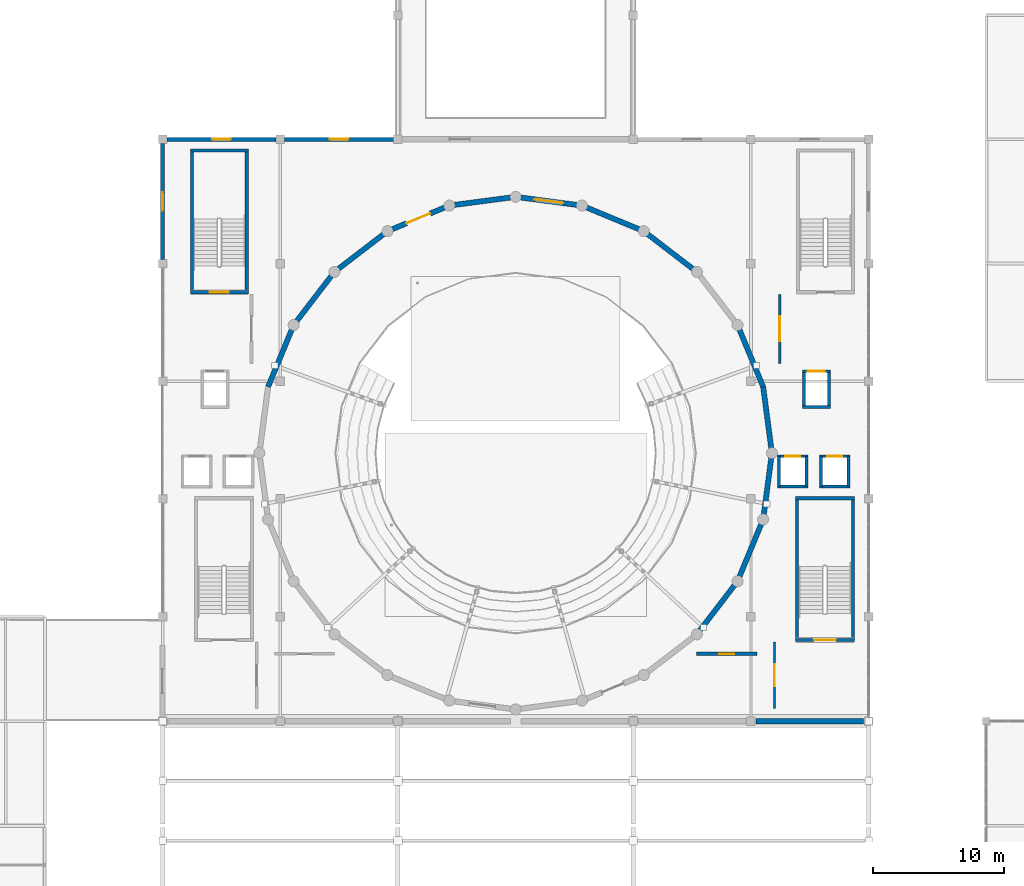
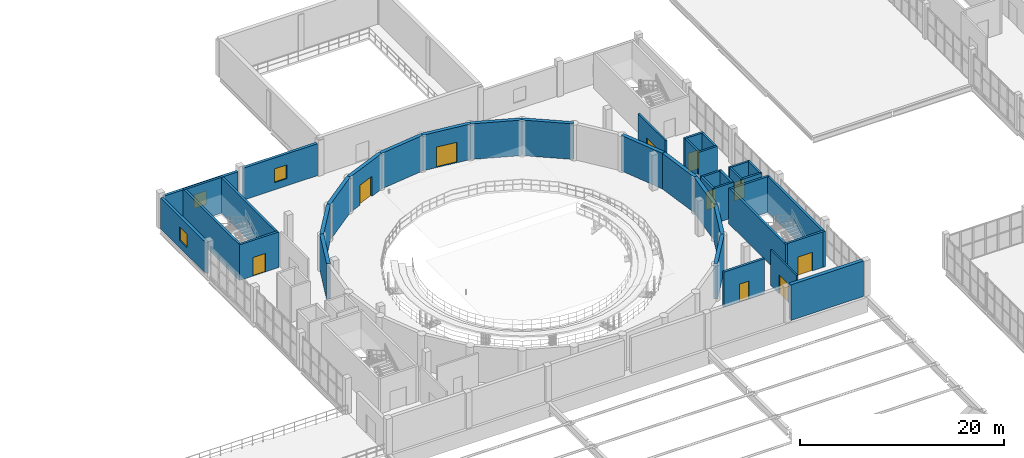
# One storey, part 42 of 54: 40 walls, 10 doors, 3 windows, 13 openings.
"""IFC4 building model written with IfcOpenShell, lengths in metres."""

from ifc_helpers import new_model, si_unit, direction, frame, frame_2d, origin, place, context, subcontext, project, spatial, rectangle, extrude, material, layer, layer_set, type_object, element, fill, save


model = new_model("IFC4")

# Units and contexts
model_context = context("Model", 3, precision=1e-05, world=origin(), true_north=direction((0.0, 1.0)))
body_context = subcontext(model_context, "Body", "Model", "MODEL_VIEW")
ifc_project = project(units=[si_unit("LENGTHUNIT", "METRE"), si_unit("AREAUNIT", "SQUARE_METRE"), si_unit("VOLUMEUNIT", "CUBIC_METRE"), si_unit("PLANEANGLEUNIT", "RADIAN"), si_unit("MASSUNIT", "GRAM", prefix="KILO")], contexts=[model_context])

# Site, building, storey
site_placement = place(None, origin())
site = spatial("IfcSite", under=ifc_project, at=site_placement, CompositionType="ELEMENT")
building_placement = place(site_placement, origin())
building = spatial("IfcBuilding", under=site, at=building_placement, Name="Marnock Terrace Opera House", CompositionType="ELEMENT")
storey_placement = place(building_placement, frame((0.0, 0.0, 19.199951171875)))
storey = spatial("IfcBuildingStorey", under=building, at=storey_placement, Name="L04", CompositionType="ELEMENT", Elevation=19.199951171875)

# Wall, opening, window
ifc_material_1 = material(Name="Basket Range sandstone ashlar masonry", Category="masonry")
ifc_layer_1 = layer(ifc_material_1, 0.31005859375)
ifc_layer_set_1 = layer_set([ifc_layer_1], Name="Basket Range sandstone ashlar masonry")
wall_type_1 = type_object("IfcWallType", Name="EW-ATTIC-310", PredefinedType="SOLIDWALL", material=ifc_layer_set_1)
wall_1_placement = place(storey_placement, frame((55.321044921875, 84.5, 0.0), z_axis=(0.0, 0.0, 1.0), x_axis=(1.0, 0.0, 0.0)))
wall_1 = element("IfcWall", 1, at=wall_1_placement, inside=storey, type_object=wall_type_1, Name="L04 Drum block north wall", PredefinedType="SOLIDWALL", context=body_context, shape_type="SweptSolid", body=[
    extrude(rectangle(XDim=8.35791015625, YDim=0.31005859375, at=frame_2d((4.178955078125, 0.0))), origin(), (0.0, 0.0, 1.0), 3.6083984375),
])
opening_1_placement = place(wall_1_placement, frame((3.47900390625, 0.0, 0.85009765625)))
opening_1 = element("IfcOpeningElement", 2, at=opening_1_placement, cuts=wall_1, Name="Opening WT-138", PredefinedType="OPENING", context=body_context, shape_type="SweptSolid", body=[
    extrude(rectangle(XDim=1.39990234375, YDim=1.64990234375, at=frame_2d((0.699951171875, 0.824951171875))), frame((0.0, 0.1650390625, 0.0), z_axis=(0.0, -1.0, 0.0), x_axis=(1.0, 0.0, 0.0)), (0.0, 0.0, 1.0), 0.330078125),
])
ifc_material_2 = material(Name="Double-glazed acoustic low-E laminated glass", Category="glass")
window_type = type_object("IfcWindowType", Name="WT-ATTIC-1400", PartitioningType="SINGLE_PANEL", PredefinedType="WINDOW", material=ifc_material_2)
window_1_placement = place(opening_1_placement, origin())
window_1 = element("IfcWindow", 3, at=window_1_placement, inside=storey, type_object=window_type, Name="L04 facade window EW-V1-Y84-L04-55.1", OverallHeight=1.64990234375, OverallWidth=1.39990234375, PartitioningType="SINGLE_PANEL", PredefinedType="WINDOW", context=body_context, shape_type="SweptSolid", body=[
    extrude(rectangle(XDim=1.39990234375, YDim=1.64990234375, at=frame_2d((0.699951171875, 0.824951171875))), frame((0.0, 0.030029296875, 0.0), z_axis=(0.0, -1.0, 0.0), x_axis=(1.0, 0.0, 0.0)), (0.0, 0.0, 1.0), 0.06005859375),
])
fill(opening_1, window_1)

wall_2_placement = place(storey_placement, frame((64.321044921875, 84.5, 0.0), z_axis=(0.0, 0.0, 1.0), x_axis=(1.0, 0.0, 0.0)))
wall_2 = element("IfcWall", 4, at=wall_2_placement, inside=storey, type_object=wall_type_1, Name="L04 Drum block north wall", PredefinedType="SOLIDWALL", context=body_context, shape_type="SweptSolid", body=[
    extrude(rectangle(XDim=8.35791015625, YDim=0.31005859375, at=frame_2d((4.178955078125, 0.0))), origin(), (0.0, 0.0, 1.0), 3.8173828125),
])
opening_2_placement = place(wall_2_placement, frame((3.47900390625, 0.0, 0.85009765625)))
opening_2 = element("IfcOpeningElement", 5, at=opening_2_placement, cuts=wall_2, Name="Opening WT-138", PredefinedType="OPENING", context=body_context, shape_type="SweptSolid", body=[
    extrude(rectangle(XDim=1.39990234375, YDim=1.64990234375, at=frame_2d((0.699951171875, 0.824951171875))), frame((0.0, 0.1650390625, 0.0), z_axis=(0.0, -1.0, 0.0), x_axis=(1.0, 0.0, 0.0)), (0.0, 0.0, 1.0), 0.330078125),
])
window_2_placement = place(opening_2_placement, origin())
window_2 = element("IfcWindow", 6, at=window_2_placement, inside=storey, type_object=window_type, Name="L04 facade window EW-V1-Y84-L04-64.1", OverallHeight=1.64990234375, OverallWidth=1.39990234375, PartitioningType="SINGLE_PANEL", PredefinedType="WINDOW", context=body_context, shape_type="SweptSolid", body=[
    extrude(rectangle(XDim=1.39990234375, YDim=1.64990234375, at=frame_2d((0.699951171875, 0.824951171875))), frame((0.0, 0.030029296875, 0.0), z_axis=(0.0, -1.0, 0.0), x_axis=(1.0, 0.0, 0.0)), (0.0, 0.0, 1.0), 0.06005859375),
])
fill(opening_2, window_2)

wall_3_placement = place(storey_placement, frame((55.0, 75.321044921875, 0.0), z_axis=(0.0, 0.0, 1.0), x_axis=(0.0, 1.0, 0.0)))
wall_3 = element("IfcWall", 7, at=wall_3_placement, inside=storey, type_object=wall_type_1, Name="L04 Drum block W wall", PredefinedType="SOLIDWALL", context=body_context, shape_type="SweptSolid", body=[
    extrude(rectangle(XDim=8.85791015625, YDim=0.31005859375, at=frame_2d((4.428955078125, 0.0))), origin(), (0.0, 0.0, 1.0), 3.692138671875),
])
opening_3_placement = place(wall_3_placement, frame((3.72900390625, 0.0, 0.85009765625)))
opening_3 = element("IfcOpeningElement", 8, at=opening_3_placement, cuts=wall_3, Name="Opening WT-138", PredefinedType="OPENING", context=body_context, shape_type="SweptSolid", body=[
    extrude(rectangle(XDim=1.39990234375, YDim=1.64990234375, at=frame_2d((0.699951171875, 0.824951171875))), frame((0.0, 0.1650390625, 0.0), z_axis=(0.0, -1.0, 0.0), x_axis=(1.0, 0.0, 0.0)), (0.0, 0.0, 1.0), 0.330078125),
])
window_3_placement = place(opening_3_placement, origin())
window_3 = element("IfcWindow", 9, at=window_3_placement, inside=storey, type_object=window_type, Name="L04 facade window EW-V1W-L04-75.1", OverallHeight=1.64990234375, OverallWidth=1.39990234375, PartitioningType="SINGLE_PANEL", PredefinedType="WINDOW", context=body_context, shape_type="SweptSolid", body=[
    extrude(rectangle(XDim=1.39990234375, YDim=1.64990234375, at=frame_2d((0.699951171875, 0.824951171875))), frame((0.0, 0.030029296875, 0.0), z_axis=(0.0, -1.0, 0.0), x_axis=(1.0, 0.0, 0.0)), (0.0, 0.0, 1.0), 0.06005859375),
])
fill(opening_3, window_3)

# Wall, opening, door
ifc_material_3 = material(Name="Rendered acoustic concrete blockwork", Category="masonry")
ifc_layer_2 = layer(ifc_material_3, 0.18505859375)
ifc_layer_set_2 = layer_set([ifc_layer_2], Name="Rendered acoustic concrete blockwork")
wall_type_2 = type_object("IfcWallType", Name="IW-FIRE-185", PredefinedType="PARTITIONING", material=ifc_layer_set_2)
wall_4_placement = place(storey_placement, frame((101.800048828125, 40.949951171875, 0.0), z_axis=(0.0, 0.0, 1.0), x_axis=(0.0, 1.0, 0.0)))
wall_4 = element("IfcWall", 10, at=wall_4_placement, inside=storey, type_object=wall_type_2, Name="L04 C2 fire-rated lift and stair lobby wall", PredefinedType="PARTITIONING", context=body_context, shape_type="SweptSolid", body=[
    extrude(rectangle(XDim=5.10009765625, YDim=0.18505859375, at=frame_2d((2.550048828125, 0.0))), origin(), (0.0, 0.0, 1.0), 4.199951171875),
])
opening_4_placement = place(wall_4_placement, frame((1.7099609375, 0.0, 0.0)))
opening_4 = element("IfcOpeningElement", 11, at=opening_4_placement, cuts=wall_4, Name="Opening FD-C2-L04", PredefinedType="OPENING", context=body_context, shape_type="SweptSolid", body=[
    extrude(rectangle(XDim=1.679931640625, YDim=2.25, at=frame_2d((0.83984375, 1.125))), frame((0.0, 0.1025390625, 0.0), z_axis=(0.0, -1.0, 0.0), x_axis=(1.0, 0.0, 0.0)), (0.0, 0.0, 1.0), 0.205078125),
])
ifc_material_4 = material(Name="Fire-rated acoustic timber-core door assembly", Category="wood")
door_type_1 = type_object("IfcDoorType", Name="DT-LOBBY-1680", OperationType="NOTDEFINED", PredefinedType="DOOR", material=ifc_material_4)
door_1_placement = place(opening_4_placement, origin())
door_1 = element("IfcDoor", 12, at=door_1_placement, inside=storey, type_object=door_type_1, Name="L04 C2 lobby self-closing smoke door", OperationType="SINGLE_SWING_RIGHT", OverallHeight=2.25, OverallWidth=1.679931640625, PredefinedType="DOOR", context=body_context, shape_type="SweptSolid", body=[
    extrude(rectangle(XDim=1.679931640625, YDim=2.25, at=frame_2d((0.83984375, 1.125))), frame((0.0, 0.02490234375, 0.0), z_axis=(0.0, -1.0, 0.0), x_axis=(1.0, 0.0, 0.0)), (0.0, 0.0, 1.0), 0.050048828125),
])
fill(opening_4, door_1)

ifc_layer_3 = layer(ifc_material_3, 0.195068359375)
ifc_layer_set_3 = layer_set([ifc_layer_3], Name="Rendered acoustic concrete blockwork")
wall_type_3 = type_object("IfcWallType", Name="IW-FIRE-195", PredefinedType="PARTITIONING", material=ifc_layer_set_3)
wall_5_placement = place(storey_placement, frame((102.199951171875, 67.35009765625, 0.0), z_axis=(0.0, 0.0, 1.0), x_axis=(0.0, 1.0, 0.0)))
wall_5 = element("IfcWall", 13, at=wall_5_placement, inside=storey, type_object=wall_type_3, Name="L04 C4 fire-rated lift and stair lobby wall", PredefinedType="PARTITIONING", context=body_context, shape_type="SweptSolid", body=[
    extrude(rectangle(XDim=5.2998046875, YDim=0.195068359375, at=frame_2d((2.64990234375, 0.0))), origin(), (0.0, 0.0, 1.0), 4.199951171875),
])
opening_5_placement = place(wall_5_placement, frame((1.699951171875, 0.0, 0.0)))
opening_5 = element("IfcOpeningElement", 14, at=opening_5_placement, cuts=wall_5, Name="Opening FD-C4-L04", PredefinedType="OPENING", context=body_context, shape_type="SweptSolid", body=[
    extrude(rectangle(XDim=1.89990234375, YDim=2.300048828125, at=frame_2d((0.949951171875, 1.14990234375))), frame((0.0, 0.107421875, 0.0), z_axis=(0.0, -1.0, 0.0), x_axis=(1.0, 0.0, 0.0)), (0.0, 0.0, 1.0), 0.215087890625),
])
door_type_2 = type_object("IfcDoorType", Name="DT-LOBBY-1900", OperationType="NOTDEFINED", PredefinedType="DOOR", material=ifc_material_4)
door_2_placement = place(opening_5_placement, origin())
door_2 = element("IfcDoor", 15, at=door_2_placement, inside=storey, type_object=door_type_2, Name="L04 C4 lobby self-closing smoke door", OperationType="SINGLE_SWING_RIGHT", OverallHeight=2.300048828125, OverallWidth=1.89990234375, PredefinedType="DOOR", context=body_context, shape_type="SweptSolid", body=[
    extrude(rectangle(XDim=1.89990234375, YDim=2.300048828125, at=frame_2d((0.949951171875, 1.14990234375))), frame((0.0, 0.02490234375, 0.0), z_axis=(0.0, -1.0, 0.0), x_axis=(1.0, 0.0, 0.0)), (0.0, 0.0, 1.0), 0.050048828125),
])
fill(opening_5, door_2)

ifc_material_5 = material(Name="Moisture-resistant tiled service duct framing")
ifc_layer_4 = layer(ifc_material_5, 0.264892578125)
ifc_layer_set_4 = layer_set([ifc_layer_4], Name="Moisture-resistant tiled service duct framing")
wall_type_4 = type_object("IfcWallType", Name="IW-PLUMB-265", PredefinedType="PLUMBINGWALL", material=ifc_layer_set_4)
wall_6_placement = place(storey_placement, frame((95.85009765625, 45.14990234375, 0.0), z_axis=(0.0, 0.0, 1.0), x_axis=(1.0, 0.0, 0.0)))
wall_6 = element("IfcWall", 16, at=wall_6_placement, inside=storey, type_object=wall_type_4, Name="L04 Accessible WC L04 Central acoustic partition wall", PredefinedType="PLUMBINGWALL", context=body_context, shape_type="SweptSolid", body=[
    extrude(rectangle(XDim=4.599853515625, YDim=0.264892578125, at=frame_2d((2.2998046875, 0.0))), origin(), (0.0, 0.0, 1.0), 4.199951171875),
])
opening_6_placement = place(wall_6_placement, frame((1.739990234375, 0.0, 0.0)))
opening_6 = element("IfcOpeningElement", 17, at=opening_6_placement, cuts=wall_6, Name="Opening D-L04-13", PredefinedType="OPENING", context=body_context, shape_type="SweptSolid", body=[
    extrude(rectangle(XDim=1.1201171875, YDim=2.159912109375, at=frame_2d((0.56005859375, 1.080078125))), frame((0.0, 0.142333984375, 0.0), z_axis=(0.0, -1.0, 0.0), x_axis=(1.0, 0.0, 0.0)), (0.0, 0.0, 1.0), 0.284912109375),
])
ifc_material_6 = material(Name="Solid-core Tasmanian oak acoustic door leaf")
door_type_3 = type_object("IfcDoorType", Name="DT-ACCWC-1120", OperationType="NOTDEFINED", PredefinedType="DOOR", material=ifc_material_6)
door_3_placement = place(opening_6_placement, origin())
door_3 = element("IfcDoor", 18, at=door_3_placement, inside=storey, type_object=door_type_3, Name="L04 Accessible WC L04 Central entrance door", OperationType="SINGLE_SWING_LEFT", OverallHeight=2.159912109375, OverallWidth=1.1201171875, PredefinedType="DOOR", context=body_context, shape_type="SweptSolid", body=[
    extrude(rectangle(XDim=1.1201171875, YDim=2.159912109375, at=frame_2d((0.56005859375, 1.080078125))), frame((0.0, 0.02490234375, 0.0), z_axis=(0.0, -1.0, 0.0), x_axis=(1.0, 0.0, 0.0)), (0.0, 0.0, 1.0), 0.050048828125),
])
fill(opening_6, door_3)

ifc_layer_5 = layer(ifc_material_3, 0.22509765625)
ifc_layer_set_5 = layer_set([ifc_layer_5], Name="Rendered acoustic concrete blockwork")
wall_type_5 = type_object("IfcWallType", Name="IW-SHAFT-225", PredefinedType="SOLIDWALL", material=ifc_layer_set_5)
wall_7_placement = place(storey_placement, frame((102.027587890625, 60.260009765625, 0.0), z_axis=(0.0, 0.0, 1.0), x_axis=(1.0, 0.0, 0.0)))
wall_7 = element("IfcWall", 19, at=wall_7_placement, inside=storey, type_object=wall_type_5, Name="L04 Lift PL-03 front shaft wall", PredefinedType="SOLIDWALL", context=body_context, shape_type="SweptSolid", body=[
    extrude(rectangle(XDim=2.344970703125, YDim=0.22509765625, at=frame_2d((1.17236328125, 0.0))), origin(), (0.0, 0.0, 1.0), 4.199951171875),
])
opening_7_placement = place(wall_7_placement, frame((0.597412109375, 0.0, 0.0)))
opening_7 = element("IfcOpeningElement", 20, at=opening_7_placement, cuts=wall_7, Name="Opening LD-PL-03-L04", PredefinedType="OPENING", context=body_context, shape_type="SweptSolid", body=[
    extrude(rectangle(XDim=1.14990234375, YDim=2.199951171875, at=frame_2d((0.574951171875, 1.10009765625))), frame((0.0, 0.12255859375, 0.0), z_axis=(0.0, -1.0, 0.0), x_axis=(1.0, 0.0, 0.0)), (0.0, 0.0, 1.0), 0.2451171875),
])
ifc_material_7 = material(Name="Brushed stainless steel landing door assembly", Category="steel")
door_type_4 = type_object("IfcDoorType", Name="DT-LIFT-1150", OperationType="NOTDEFINED", PredefinedType="DOOR", material=ifc_material_7)
door_4_placement = place(opening_7_placement, origin())
door_4 = element("IfcDoor", 21, at=door_4_placement, inside=storey, type_object=door_type_4, Name="L04 Lift PL-03 sliding landing door", OperationType="DOUBLE_DOOR_SLIDING", OverallHeight=2.199951171875, OverallWidth=1.14990234375, PredefinedType="DOOR", context=body_context, shape_type="SweptSolid", body=[
    extrude(rectangle(XDim=1.14990234375, YDim=2.199951171875, at=frame_2d((0.574951171875, 1.10009765625))), frame((0.0, 0.02490234375, 0.0), z_axis=(0.0, -1.0, 0.0), x_axis=(1.0, 0.0, 0.0)), (0.0, 0.0, 1.0), 0.050048828125),
])
fill(opening_7, door_4)

# Walls
wall_8_placement = place(storey_placement, frame((102.027587890625, 57.93994140625, 0.0), z_axis=(0.0, 0.0, 1.0), x_axis=(1.0, 0.0, 0.0)))
element("IfcWall", 22, at=wall_8_placement, inside=storey, type_object=wall_type_5, Name="L04 Lift PL-03 rear shaft wall", PredefinedType="SOLIDWALL", context=body_context, shape_type="SweptSolid", body=[
    extrude(rectangle(XDim=2.344970703125, YDim=0.22509765625, at=frame_2d((1.17236328125, 0.0))), origin(), (0.0, 0.0, 1.0), 4.199951171875),
])
for number, where, z_axis, x_axis, name in (
    (23, (102.139892578125, 57.93994140625, 0.0), (0.0, 0.0, 1.0), (0.0, 1.0, 0.0), "L04 Lift PL-03 west shaft wall"),
    (24, (104.260009765625, 57.93994140625, 0.0), (0.0, 0.0, 1.0), (0.0, 1.0, 0.0), "L04 Lift PL-03 east shaft wall"),
):
    element("IfcWall", number, at=place(storey_placement, frame(where, z_axis=z_axis, x_axis=x_axis)), inside=storey, type_object=wall_type_5, Name=name, PredefinedType="SOLIDWALL", context=body_context, shape_type="SweptSolid", body=[
        extrude(rectangle(XDim=2.320068359375, YDim=0.22509765625, at=frame_2d((1.16015625, 0.0))), origin(), (0.0, 0.0, 1.0), 4.199951171875),
    ])

# Wall, opening, door
wall_9_placement = place(storey_placement, frame((105.2275390625, 60.260009765625, 0.0), z_axis=(0.0, 0.0, 1.0), x_axis=(1.0, 0.0, 0.0)))
wall_9 = element("IfcWall", 25, at=wall_9_placement, inside=storey, type_object=wall_type_5, Name="L04 Lift PL-04 front shaft wall", PredefinedType="SOLIDWALL", context=body_context, shape_type="SweptSolid", body=[
    extrude(rectangle(XDim=2.344970703125, YDim=0.22509765625, at=frame_2d((1.17236328125, 0.0))), origin(), (0.0, 0.0, 1.0), 4.199951171875),
])
opening_8_placement = place(wall_9_placement, frame((0.597412109375, 0.0, 0.0)))
opening_8 = element("IfcOpeningElement", 26, at=opening_8_placement, cuts=wall_9, Name="Opening LD-PL-04-L04", PredefinedType="OPENING", context=body_context, shape_type="SweptSolid", body=[
    extrude(rectangle(XDim=1.14990234375, YDim=2.199951171875, at=frame_2d((0.574951171875, 1.10009765625))), frame((0.0, 0.12255859375, 0.0), z_axis=(0.0, -1.0, 0.0), x_axis=(1.0, 0.0, 0.0)), (0.0, 0.0, 1.0), 0.2451171875),
])
door_5_placement = place(opening_8_placement, origin())
door_5 = element("IfcDoor", 27, at=door_5_placement, inside=storey, type_object=door_type_4, Name="L04 Lift PL-04 sliding landing door", OperationType="DOUBLE_DOOR_SLIDING", OverallHeight=2.199951171875, OverallWidth=1.14990234375, PredefinedType="DOOR", context=body_context, shape_type="SweptSolid", body=[
    extrude(rectangle(XDim=1.14990234375, YDim=2.199951171875, at=frame_2d((0.574951171875, 1.10009765625))), frame((0.0, 0.02490234375, 0.0), z_axis=(0.0, -1.0, 0.0), x_axis=(1.0, 0.0, 0.0)), (0.0, 0.0, 1.0), 0.050048828125),
])
fill(opening_8, door_5)

# Walls
wall_10_placement = place(storey_placement, frame((105.2275390625, 57.93994140625, 0.0), z_axis=(0.0, 0.0, 1.0), x_axis=(1.0, 0.0, 0.0)))
element("IfcWall", 28, at=wall_10_placement, inside=storey, type_object=wall_type_5, Name="L04 Lift PL-04 rear shaft wall", PredefinedType="SOLIDWALL", context=body_context, shape_type="SweptSolid", body=[
    extrude(rectangle(XDim=2.344970703125, YDim=0.22509765625, at=frame_2d((1.17236328125, 0.0))), origin(), (0.0, 0.0, 1.0), 4.199951171875),
])
for number, where, z_axis, x_axis, name in (
    (29, (105.340087890625, 57.93994140625, 0.0), (0.0, 0.0, 1.0), (0.0, 1.0, 0.0), "L04 Lift PL-04 west shaft wall"),
    (30, (107.4599609375, 57.93994140625, 0.0), (0.0, 0.0, 1.0), (0.0, 1.0, 0.0), "L04 Lift PL-04 east shaft wall"),
):
    element("IfcWall", number, at=place(storey_placement, frame(where, z_axis=z_axis, x_axis=x_axis)), inside=storey, type_object=wall_type_5, Name=name, PredefinedType="SOLIDWALL", context=body_context, shape_type="SweptSolid", body=[
        extrude(rectangle(XDim=2.320068359375, YDim=0.22509765625, at=frame_2d((1.16015625, 0.0))), origin(), (0.0, 0.0, 1.0), 4.199951171875),
    ])

# Wall, opening, door
wall_11_placement = place(storey_placement, frame((103.927490234375, 66.760009765625, 0.0), z_axis=(0.0, 0.0, 1.0), x_axis=(1.0, 0.0, 0.0)))
wall_11 = element("IfcWall", 31, at=wall_11_placement, inside=storey, type_object=wall_type_5, Name="L04 Lift EL-02 front shaft wall", PredefinedType="SOLIDWALL", context=body_context, shape_type="SweptSolid", body=[
    extrude(rectangle(XDim=2.14501953125, YDim=0.22509765625, at=frame_2d((1.072509765625, 0.0))), origin(), (0.0, 0.0, 1.0), 4.199951171875),
])
opening_9_placement = place(wall_11_placement, frame((0.422607421875, 0.0, 0.0)))
opening_9 = element("IfcOpeningElement", 32, at=opening_9_placement, cuts=wall_11, Name="Opening LD-EL-02-L04", PredefinedType="OPENING", context=body_context, shape_type="SweptSolid", body=[
    extrude(rectangle(XDim=1.300048828125, YDim=2.25, at=frame_2d((0.64990234375, 1.125))), frame((0.0, 0.12255859375, 0.0), z_axis=(0.0, -1.0, 0.0), x_axis=(1.0, 0.0, 0.0)), (0.0, 0.0, 1.0), 0.2451171875),
])
door_type_5 = type_object("IfcDoorType", Name="DT-LIFT-1300", OperationType="NOTDEFINED", PredefinedType="DOOR", material=ifc_material_7)
door_6_placement = place(opening_9_placement, origin())
door_6 = element("IfcDoor", 33, at=door_6_placement, inside=storey, type_object=door_type_5, Name="L04 Lift EL-02 sliding landing door", OperationType="DOUBLE_DOOR_SLIDING", OverallHeight=2.25, OverallWidth=1.300048828125, PredefinedType="DOOR", context=body_context, shape_type="SweptSolid", body=[
    extrude(rectangle(XDim=1.300048828125, YDim=2.25, at=frame_2d((0.64990234375, 1.125))), frame((0.0, 0.02490234375, 0.0), z_axis=(0.0, -1.0, 0.0), x_axis=(1.0, 0.0, 0.0)), (0.0, 0.0, 1.0), 0.050048828125),
])
fill(opening_9, door_6)

# Walls
wall_12_placement = place(storey_placement, frame((103.927490234375, 64.0400390625, 0.0), z_axis=(0.0, 0.0, 1.0), x_axis=(1.0, 0.0, 0.0)))
element("IfcWall", 34, at=wall_12_placement, inside=storey, type_object=wall_type_5, Name="L04 Lift EL-02 rear shaft wall", PredefinedType="SOLIDWALL", context=body_context, shape_type="SweptSolid", body=[
    extrude(rectangle(XDim=2.14501953125, YDim=0.22509765625, at=frame_2d((1.072509765625, 0.0))), origin(), (0.0, 0.0, 1.0), 4.199951171875),
])
for number, where, z_axis, x_axis, name in (
    (35, (104.0400390625, 64.0400390625, 0.0), (0.0, 0.0, 1.0), (0.0, 1.0, 0.0), "L04 Lift EL-02 west shaft wall"),
    (36, (105.9599609375, 64.0400390625, 0.0), (0.0, 0.0, 1.0), (0.0, 1.0, 0.0), "L04 Lift EL-02 east shaft wall"),
):
    element("IfcWall", number, at=place(storey_placement, frame(where, z_axis=z_axis, x_axis=x_axis)), inside=storey, type_object=wall_type_5, Name=name, PredefinedType="SOLIDWALL", context=body_context, shape_type="SweptSolid", body=[
        extrude(rectangle(XDim=2.719970703125, YDim=0.22509765625, at=frame_2d((1.35986328125, 0.0))), origin(), (0.0, 0.0, 1.0), 4.199951171875),
    ])

# Wall, opening, door
ifc_material_8 = material(Name="Concrete N40 (f'c = 40 MPa)", Category="concrete")
ifc_layer_6 = layer(ifc_material_8, 0.25)
ifc_layer_set_6 = layer_set([ifc_layer_6], Name="Concrete N40 (f'c = 40 MPa)")
wall_type_6 = type_object("IfcWallType", Name="SW-CORE-250", PredefinedType="SHEAR", material=ifc_layer_set_6)
wall_13_placement = place(storey_placement, frame((103.39501953125, 46.199951171875, 0.0), z_axis=(0.0, 0.0, 1.0), x_axis=(1.0, 0.0, 0.0)))
wall_13 = element("IfcWall", 37, at=wall_13_placement, inside=storey, type_object=wall_type_6, Name="L04 Core C2 FRL 120/120/120 shear wall S", PredefinedType="SHEAR", context=body_context, shape_type="SweptSolid", body=[
    extrude(rectangle(XDim=4.530029296875, YDim=0.25, at=frame_2d((2.26513671875, 0.0))), origin(), (0.0, 0.0, 1.0), 4.25),
])
opening_10_placement = place(wall_13_placement, frame((1.43994140625, 0.0, 0.0)))
opening_10 = element("IfcOpeningElement", 38, at=opening_10_placement, cuts=wall_13, Name="Opening SD-C2-L04", PredefinedType="OPENING", context=body_context, shape_type="SweptSolid", body=[
    extrude(rectangle(XDim=1.64990234375, YDim=2.219970703125, at=frame_2d((0.824951171875, 1.10986328125))), frame((0.0, 0.135009765625, 0.0), z_axis=(0.0, -1.0, 0.0), x_axis=(1.0, 0.0, 0.0)), (0.0, 0.0, 1.0), 0.27001953125),
])
door_type_6 = type_object("IfcDoorType", Name="DT-STAIR-1650", OperationType="NOTDEFINED", PredefinedType="DOOR", material=ifc_material_4)
door_7_placement = place(opening_10_placement, origin())
door_7 = element("IfcDoor", 39, at=door_7_placement, inside=storey, type_object=door_type_6, Name="L04 Stair ST-02 fire-isolated exit door", OperationType="SINGLE_SWING_LEFT", OverallHeight=2.219970703125, OverallWidth=1.64990234375, PredefinedType="DOOR", context=body_context, shape_type="SweptSolid", body=[
    extrude(rectangle(XDim=1.64990234375, YDim=2.219970703125, at=frame_2d((0.824951171875, 1.10986328125))), frame((0.0, 0.02490234375, 0.0), z_axis=(0.0, -1.0, 0.0), x_axis=(1.0, 0.0, 0.0)), (0.0, 0.0, 1.0), 0.050048828125),
])
fill(opening_10, door_7)

# Walls
wall_14_placement = place(storey_placement, frame((103.39501953125, 57.0400390625, 0.0), z_axis=(0.0, 0.0, 1.0), x_axis=(1.0, 0.0, 0.0)))
element("IfcWall", 40, at=wall_14_placement, inside=storey, type_object=wall_type_6, Name="L04 Core C2 FRL 120/120/120 shear wall N", PredefinedType="SHEAR", context=body_context, shape_type="SweptSolid", body=[
    extrude(rectangle(XDim=4.530029296875, YDim=0.25, at=frame_2d((2.26513671875, 0.0))), origin(), (0.0, 0.0, 1.0), 4.25),
])
for number, where, z_axis, x_axis, name in (
    (41, (103.52001953125, 46.074951171875, 0.0), (0.0, 0.0, 1.0), (0.0, 1.0, 0.0), "L04 Core C2 FRL 120/120/120 shear wall W"),
    (42, (107.800048828125, 46.074951171875, 0.0), (0.0, 0.0, 1.0), (0.0, 1.0, 0.0), "L04 Core C2 FRL 120/120/120 shear wall E"),
):
    element("IfcWall", number, at=place(storey_placement, frame(where, z_axis=z_axis, x_axis=x_axis)), inside=storey, type_object=wall_type_6, Name=name, PredefinedType="SHEAR", context=body_context, shape_type="SweptSolid", body=[
        extrude(rectangle(XDim=11.090087890625, YDim=0.25, at=frame_2d((5.544921875, 0.0))), origin(), (0.0, 0.0, 1.0), 4.25),
    ])

# Wall, opening, door
wall_15_placement = place(storey_placement, frame((57.114990234375, 72.800048828125, 0.0), z_axis=(0.0, 0.0, 1.0), x_axis=(1.0, 0.0, 0.0)))
wall_15 = element("IfcWall", 43, at=wall_15_placement, inside=storey, type_object=wall_type_6, Name="L04 Core C3 FRL 120/120/120 shear wall S", PredefinedType="SHEAR", context=body_context, shape_type="SweptSolid", body=[
    extrude(rectangle(XDim=4.449951171875, YDim=0.25, at=frame_2d((2.22509765625, 0.0))), origin(), (0.0, 0.0, 1.0), 4.25),
])
opening_11_placement = place(wall_15_placement, frame((1.5, 0.0, 0.0)))
opening_11 = element("IfcOpeningElement", 44, at=opening_11_placement, cuts=wall_15, Name="Opening SD-C3-L04", PredefinedType="OPENING", context=body_context, shape_type="SweptSolid", body=[
    extrude(rectangle(XDim=1.449951171875, YDim=2.199951171875, at=frame_2d((0.72509765625, 1.10009765625))), frame((0.0, 0.135009765625, 0.0), z_axis=(0.0, -1.0, 0.0), x_axis=(1.0, 0.0, 0.0)), (0.0, 0.0, 1.0), 0.27001953125),
])
door_type_7 = type_object("IfcDoorType", Name="DT-STAIR-1450", OperationType="NOTDEFINED", PredefinedType="DOOR", material=ifc_material_4)
door_8_placement = place(opening_11_placement, origin())
door_8 = element("IfcDoor", 45, at=door_8_placement, inside=storey, type_object=door_type_7, Name="L04 Stair ST-03 fire-isolated exit door", OperationType="SINGLE_SWING_LEFT", OverallHeight=2.199951171875, OverallWidth=1.449951171875, PredefinedType="DOOR", context=body_context, shape_type="SweptSolid", body=[
    extrude(rectangle(XDim=1.449951171875, YDim=2.199951171875, at=frame_2d((0.72509765625, 1.10009765625))), frame((0.0, 0.02490234375, 0.0), z_axis=(0.0, -1.0, 0.0), x_axis=(1.0, 0.0, 0.0)), (0.0, 0.0, 1.0), 0.050048828125),
])
fill(opening_11, door_8)

# Walls
wall_16_placement = place(storey_placement, frame((57.114990234375, 83.639892578125, 0.0), z_axis=(0.0, 0.0, 1.0), x_axis=(1.0, 0.0, 0.0)))
element("IfcWall", 46, at=wall_16_placement, inside=storey, type_object=wall_type_6, Name="L04 Core C3 FRL 120/120/120 shear wall N", PredefinedType="SHEAR", context=body_context, shape_type="SweptSolid", body=[
    extrude(rectangle(XDim=4.449951171875, YDim=0.25, at=frame_2d((2.22509765625, 0.0))), origin(), (0.0, 0.0, 1.0), 4.25),
])
for number, where, z_axis, x_axis, name in (
    (47, (57.239990234375, 72.675048828125, 0.0), (0.0, 0.0, 1.0), (0.0, 1.0, 0.0), "L04 Core C3 FRL 120/120/120 shear wall W"),
    (48, (61.43994140625, 72.675048828125, 0.0), (0.0, 0.0, 1.0), (0.0, 1.0, 0.0), "L04 Core C3 FRL 120/120/120 shear wall E"),
):
    element("IfcWall", number, at=place(storey_placement, frame(where, z_axis=z_axis, x_axis=x_axis)), inside=storey, type_object=wall_type_6, Name=name, PredefinedType="SHEAR", context=body_context, shape_type="SweptSolid", body=[
        extrude(rectangle(XDim=11.08984375, YDim=0.25, at=frame_2d((5.544921875, 0.0))), origin(), (0.0, 0.0, 1.0), 4.25),
    ])
ifc_material_9 = material(Name="Concrete N50 (f'c = 50 MPa)", Category="concrete")
ifc_layer_7 = layer(ifc_material_9, 0.39990234375)
ifc_layer_set_7 = layer_set([ifc_layer_7], Name="Concrete N50 (f'c = 50 MPa)")
wall_type_7 = type_object("IfcWallType", Name="SW-DRUM-400", PredefinedType="SHEAR", material=ifc_layer_set_7)
wall_17_placement = place(storey_placement, frame((101.60009765625, 60.5, 0.0), z_axis=(0.0, 0.0, 1.0), x_axis=(-0.130591512704, 0.99143625958, 0.0)))
element("IfcWall", 49, at=wall_17_placement, inside=storey, type_object=wall_type_7, Name="L04 cylindrical auditorium drum shear wall 1", PredefinedType="SHEAR", context=body_context, shape_type="SweptSolid", body=[
    extrude(rectangle(XDim=5.11669921875, YDim=0.39990234375, at=frame_2d((2.558349609375, 0.0))), origin(), (0.0, 0.0, 1.0), 4.25),
])
for number, where, z_axis, x_axis, name in (
    (50, (100.931884765625, 65.572998046875, 0.0), (0.0, 0.0, 1.0), (-0.382642581018, 0.923896452635, 0.0), "L04 cylindrical auditorium drum shear wall 2"),
    (51, (95.85888671875, 74.35888671875, 0.0), (0.0, 0.0, 1.0), (-0.793279847731, 0.608857194409, 0.0), "L04 cylindrical auditorium drum shear wall 4"),
    (52, (91.800048828125, 77.47412109375, 0.0), (0.0, 0.0, 1.0), (-0.923896452635, 0.382642581018, 0.0), "L04 cylindrical auditorium drum shear wall 5"),
):
    element("IfcWall", number, at=place(storey_placement, frame(where, z_axis=z_axis, x_axis=x_axis)), inside=storey, type_object=wall_type_7, Name=name, PredefinedType="SHEAR", context=body_context, shape_type="SweptSolid", body=[
        extrude(rectangle(XDim=5.116455078125, YDim=0.39990234375, at=frame_2d((2.55810546875, 0.0))), origin(), (0.0, 0.0, 1.0), 4.25),
    ])

# Wall, opening, door
wall_18_placement = place(storey_placement, frame((87.072998046875, 79.431884765625, 0.0), z_axis=(0.0, 0.0, 1.0), x_axis=(-0.99143625958, 0.130591512704, 0.0)))
wall_18 = element("IfcWall", 53, at=wall_18_placement, inside=storey, type_object=wall_type_7, Name="L04 cylindrical auditorium drum shear wall 6", PredefinedType="SHEAR", context=body_context, shape_type="SweptSolid", body=[
    extrude(rectangle(XDim=5.11669921875, YDim=0.39990234375, at=frame_2d((2.558349609375, 0.0))), origin(), (0.0, 0.0, 1.0), 4.25),
])
opening_12_placement = place(wall_18_placement, frame((1.45849609375, 0.0, 0.0)))
opening_12 = element("IfcOpeningElement", 54, at=opening_12_placement, cuts=wall_18, Name="Opening AD-L04-05", PredefinedType="OPENING", context=body_context, shape_type="SweptSolid", body=[
    extrude(rectangle(XDim=2.199951171875, YDim=2.449951171875, at=frame_2d((1.10009765625, 1.22509765625))), frame((0.0, 0.2099609375, 0.0), z_axis=(0.0, -1.0, 0.0), x_axis=(1.0, 0.0, 0.0)), (0.0, 0.0, 1.0), 0.419921875),
])
door_type_8 = type_object("IfcDoorType", Name="DT-AUD-2200", OperationType="NOTDEFINED", PredefinedType="DOOR", material=ifc_material_6)
door_9_placement = place(opening_12_placement, origin())
door_9 = element("IfcDoor", 55, at=door_9_placement, inside=storey, type_object=door_type_8, Name="L04 Auditorium sound-lock double door 5", OperationType="DOUBLE_DOOR_SINGLE_SWING", OverallHeight=2.449951171875, OverallWidth=2.199951171875, PredefinedType="DOOR", context=body_context, shape_type="SweptSolid", body=[
    extrude(rectangle(XDim=2.199951171875, YDim=2.449951171875, at=frame_2d((1.10009765625, 1.22509765625))), frame((0.0, 0.02490234375, 0.0), z_axis=(0.0, -1.0, 0.0), x_axis=(1.0, 0.0, 0.0)), (0.0, 0.0, 1.0), 0.050048828125),
])
fill(opening_12, door_9)

# Wall
wall_19_placement = place(storey_placement, frame((82.0, 80.10009765625, 0.0), z_axis=(0.0, 0.0, 1.0), x_axis=(-0.99143625958, -0.130591512704, 0.0)))
element("IfcWall", 56, at=wall_19_placement, inside=storey, type_object=wall_type_7, Name="L04 cylindrical auditorium drum shear wall 7", PredefinedType="SHEAR", context=body_context, shape_type="SweptSolid", body=[
    extrude(rectangle(XDim=5.11669921875, YDim=0.39990234375, at=frame_2d((2.558349609375, 0.0))), origin(), (0.0, 0.0, 1.0), 4.25),
])

# Wall, opening, door
wall_20_placement = place(storey_placement, frame((76.927001953125, 79.431884765625, 0.0), z_axis=(0.0, 0.0, 1.0), x_axis=(-0.923896452635, -0.382642581018, 0.0)))
wall_20 = element("IfcWall", 57, at=wall_20_placement, inside=storey, type_object=wall_type_7, Name="L04 cylindrical auditorium drum shear wall 8", PredefinedType="SHEAR", context=body_context, shape_type="SweptSolid", body=[
    extrude(rectangle(XDim=5.116455078125, YDim=0.39990234375, at=frame_2d((2.55810546875, 0.0))), origin(), (0.0, 0.0, 1.0), 4.25),
])
opening_13_placement = place(wall_20_placement, frame((1.583251953125, 0.0, 0.0)))
opening_13 = element("IfcOpeningElement", 58, at=opening_13_placement, cuts=wall_20, Name="Opening AD-L04-07", PredefinedType="OPENING", context=body_context, shape_type="SweptSolid", body=[
    extrude(rectangle(XDim=1.949951171875, YDim=2.39990234375, at=frame_2d((0.97509765625, 1.199951171875))), frame((0.0, 0.2099609375, 0.0), z_axis=(0.0, -1.0, 0.0), x_axis=(1.0, 0.0, 0.0)), (0.0, 0.0, 1.0), 0.419921875),
])
door_type_9 = type_object("IfcDoorType", Name="DT-AUD-1950", OperationType="NOTDEFINED", PredefinedType="DOOR", material=ifc_material_6)
door_10_placement = place(opening_13_placement, origin())
door_10 = element("IfcDoor", 59, at=door_10_placement, inside=storey, type_object=door_type_9, Name="L04 Auditorium sound-lock double door 7", OperationType="DOUBLE_DOOR_SINGLE_SWING", OverallHeight=2.39990234375, OverallWidth=1.949951171875, PredefinedType="DOOR", context=body_context, shape_type="SweptSolid", body=[
    extrude(rectangle(XDim=1.949951171875, YDim=2.39990234375, at=frame_2d((0.97509765625, 1.199951171875))), frame((0.0, 0.02490234375, 0.0), z_axis=(0.0, -1.0, 0.0), x_axis=(1.0, 0.0, 0.0)), (0.0, 0.0, 1.0), 0.050048828125),
])
fill(opening_13, door_10)

# Walls
for number, where, z_axis, x_axis, name in (
    (60, (72.199951171875, 77.47412109375, 0.0), (0.0, 0.0, 1.0), (-0.793279847731, -0.608857194409, 0.0), "L04 cylindrical auditorium drum shear wall 9"),
    (61, (68.14111328125, 74.35888671875, 0.0), (0.0, 0.0, 1.0), (-0.608857194409, -0.793279847731, 0.0), "L04 cylindrical auditorium drum shear wall 10"),
    (62, (65.02587890625, 70.300048828125, 0.0), (0.0, 0.0, 1.0), (-0.382642581018, -0.923896452635, 0.0), "L04 cylindrical auditorium drum shear wall 11"),
    (63, (95.85888671875, 46.64111328125, 0.0), (0.0, 0.0, 1.0), (0.608857194409, 0.793279847731, 0.0), "L04 cylindrical auditorium drum shear wall 22"),
    (64, (98.97412109375, 50.699951171875, 0.0), (0.0, 0.0, 1.0), (0.382642581018, 0.923896452635, 0.0), "L04 cylindrical auditorium drum shear wall 23"),
):
    element("IfcWall", number, at=place(storey_placement, frame(where, z_axis=z_axis, x_axis=x_axis)), inside=storey, type_object=wall_type_7, Name=name, PredefinedType="SHEAR", context=body_context, shape_type="SweptSolid", body=[
        extrude(rectangle(XDim=5.116455078125, YDim=0.39990234375, at=frame_2d((2.55810546875, 0.0))), origin(), (0.0, 0.0, 1.0), 4.25),
    ])
wall_21_placement = place(storey_placement, frame((100.931884765625, 55.427001953125, 0.0), z_axis=(0.0, 0.0, 1.0), x_axis=(0.130591512704, 0.99143625958, 0.0)))
element("IfcWall", 65, at=wall_21_placement, inside=storey, type_object=wall_type_7, Name="L04 cylindrical auditorium drum shear wall 24", PredefinedType="SHEAR", context=body_context, shape_type="SweptSolid", body=[
    extrude(rectangle(XDim=5.11669921875, YDim=0.39990234375, at=frame_2d((2.558349609375, 0.0))), origin(), (0.0, 0.0, 1.0), 4.25),
])
wall_22_placement = place(storey_placement, frame((100.39990234375, 40.0, 0.0), z_axis=(0.0, 0.0, 1.0), x_axis=(1.0, 0.0, 0.0)))
element("IfcWall", 66, at=wall_22_placement, inside=storey, type_object=wall_type_7, Name="L04 Drum block south structural diaphragm wall", PredefinedType="SHEAR", context=body_context, shape_type="SweptSolid", body=[
    extrude(rectangle(XDim=8.2001953125, YDim=0.39990234375, at=frame_2d((4.10009765625, 0.0))), origin(), (0.0, 0.0, 1.0), 4.25),
])

save(model, "model.ifc")
